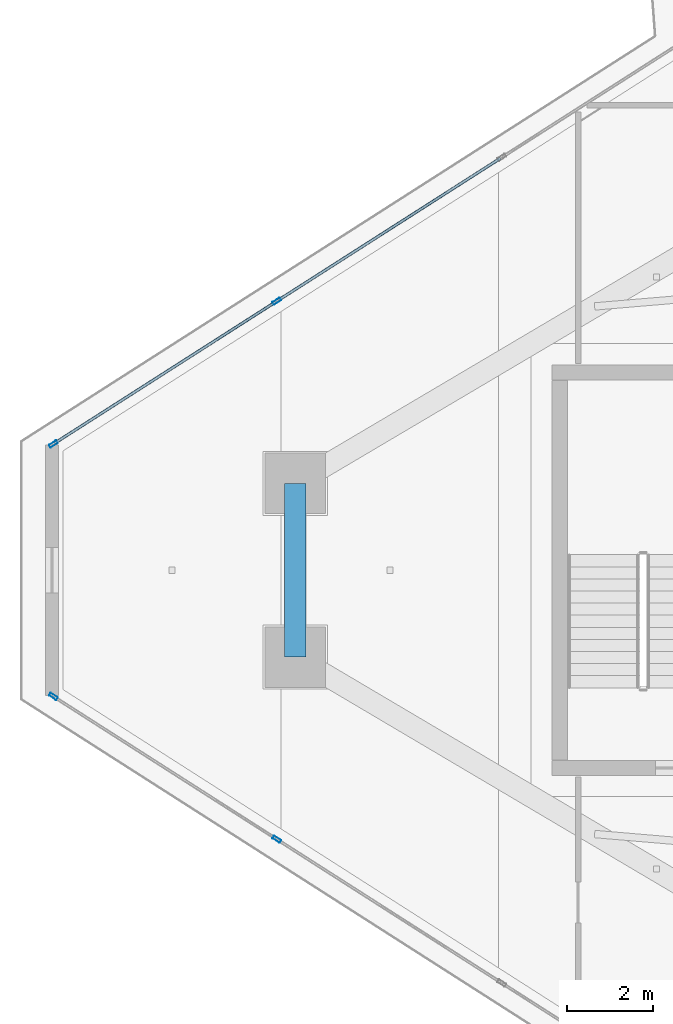
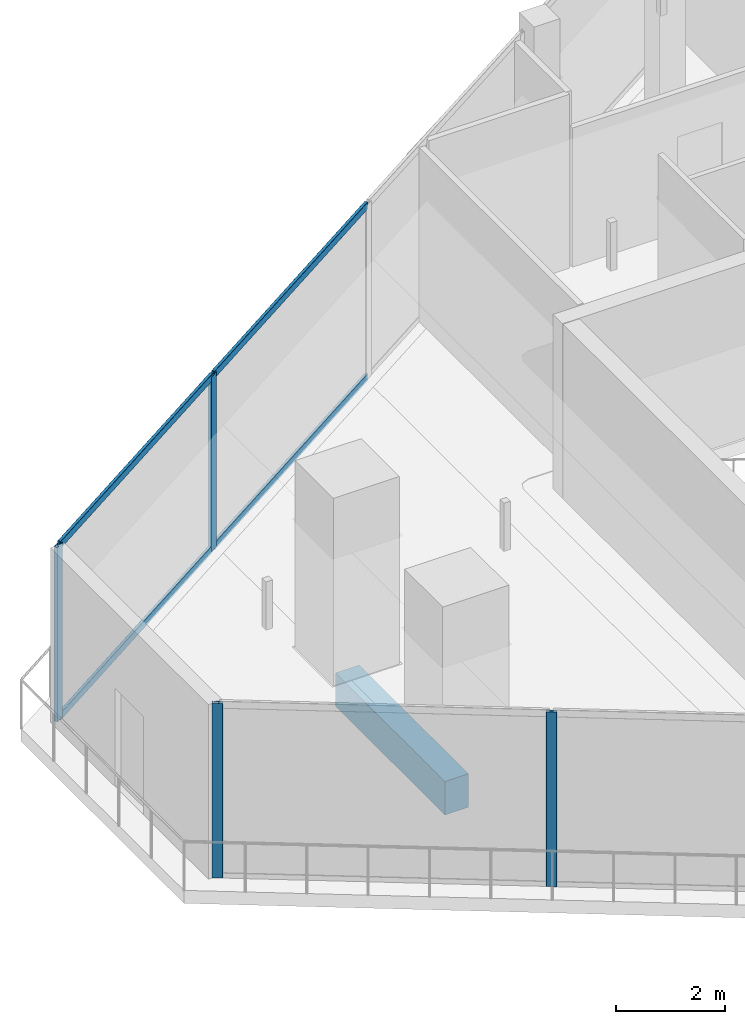
# One storey, part 6 of 27: 8 members, 1 beam, 2 elements without a shape of their own.
"""IFC4 building model written with IfcOpenShell, lengths in metres."""

from ifc_helpers import new_model, si_unit, direction, frame, origin, origin_2d, place, context, subcontext, project, spatial, rectangle, hollow_rectangle, extrude, material, layer, layer_set, material_profile, profile_set, type_object, element, aggregate, save


model = new_model("IFC4")

# Units and contexts
model_context = context("Model", 3, precision=1e-05, world=origin(), true_north=direction((0.0, 1.0)))
body_context = subcontext(model_context, "Body", "Model", "MODEL_VIEW")
ifc_project = project(units=[si_unit("LENGTHUNIT", "METRE"), si_unit("AREAUNIT", "SQUARE_METRE"), si_unit("VOLUMEUNIT", "CUBIC_METRE"), si_unit("PLANEANGLEUNIT", "RADIAN"), si_unit("MASSUNIT", "GRAM", prefix="KILO")], contexts=[model_context])

# Site, building, storey
site_placement = place(None, origin())
site = spatial("IfcSite", under=ifc_project, at=site_placement, CompositionType="ELEMENT")
building_placement = place(site_placement, origin())
building = spatial("IfcBuilding", under=site, at=building_placement, Name="Qorvath Tower", CompositionType="ELEMENT")
storey_placement = place(building_placement, frame((0.0, 0.0, 293.39990234375)))
storey = spatial("IfcBuildingStorey", under=building, at=storey_placement, Name="L68", CompositionType="ELEMENT", Elevation=293.39990234375)

# Beam
ifc_material_1 = material(Name="Concrete C45/55", Category="concrete")
ifc_material_profile_1 = material_profile(ifc_material_1, rectangle(XDim=0.5, YDim=0.75, at=origin_2d()), Name="RCB 750x500")
ifc_profile_set_1 = profile_set([ifc_material_profile_1], Name="Concrete C45/55")
beam_type = type_object("IfcBeamType", Name="BM-RCB3", PredefinedType="SPANDREL", material=ifc_profile_set_1)
beam_placement = place(storey_placement, frame((-44.402587890625, 2.007568359375, -0.664794921875), z_axis=(0.0, -1.0, 0.0), x_axis=(1.0, 0.0, 0.0)))
element("IfcBeam", 1, at=beam_placement, inside=storey, type_object=beam_type, Name="Perimeter Loggia Frame Beam MC1-MC2 L68", PredefinedType="SPANDREL", context=body_context, shape_type="SweptSolid", body=[
    extrude(rectangle(XDim=0.5, YDim=0.75, at=origin_2d()), origin(), (0.0, 0.0, 1.0), 4.01513671875),
])

# Curtain wall, members
ifc_material_2 = material(Name="Anodised aluminium and triple low-E glass", Category="aluminium")
ifc_layer = layer(ifc_material_2, 0.179931640625)
ifc_layer_set = layer_set([ifc_layer], Name="CW-SYS-5")
curtain_wall_type = type_object("IfcCurtainWallType", Name="CW-SYS-5", PredefinedType="NOTDEFINED", material=ifc_layer_set)
curtain_wall_1_placement = place(storey_placement, origin())
curtain_wall_1 = element("IfcCurtainWall", 2, at=curtain_wall_1_placement, inside=storey, type_object=curtain_wall_type, Name="Curtain Wall CW-5 CW-T-L68-2.1", PredefinedType="NOTDEFINED")
ifc_material_3 = material(Name="Anodised aluminium 6063-T6", Category="aluminium")
ifc_material_profile_2 = material_profile(ifc_material_3, hollow_rectangle(XDim=0.074951171875, YDim=0.199951171875, WallThickness=0.00390625, InnerFilletRadius=0.00390625, OuterFilletRadius=0.008056640625, at=origin_2d()), Name="CWM 200x75")
ifc_profile_set_2 = profile_set([ifc_material_profile_2], Name="Anodised aluminium 6063-T6")
member_type_1 = type_object("IfcMemberType", Name="CWM-200", PredefinedType="MULLION", material=ifc_profile_set_2)
member_1_placement = place(storey_placement, frame((-49.998291015625, -2.92041015625, 0.0), z_axis=(0.0, 0.0, 1.0), x_axis=(0.538538485017, 0.84260091393, 0.0)))
member_1 = element("IfcMember", 3, at=member_1_placement, type_object=member_type_1, Name="CW-5 mullion 1", PredefinedType="MULLION", context=body_context, shape_type="SweptSolid", body=[
    extrude(hollow_rectangle(XDim=0.074951171875, YDim=0.199951171875, WallThickness=0.00390625, InnerFilletRadius=0.00390625, OuterFilletRadius=0.008056640625, at=origin_2d()), origin(), (0.0, 0.0, 1.0), 3.91015625),
])
member_2_placement = place(storey_placement, frame((-44.828125, -6.224853515625, 0.0), z_axis=(0.0, 0.0, 1.0), x_axis=(0.538538485017, 0.84260091393, 0.0)))
member_2 = element("IfcMember", 4, at=member_2_placement, type_object=member_type_1, Name="CW-5 mullion 2", PredefinedType="MULLION", context=body_context, shape_type="SweptSolid", body=[
    extrude(hollow_rectangle(XDim=0.074951171875, YDim=0.199951171875, WallThickness=0.00390625, InnerFilletRadius=0.00390625, OuterFilletRadius=0.008056640625, at=origin_2d()), origin(), (0.0, 0.0, 1.0), 3.91015625),
])
aggregate(curtain_wall_1, [member_1, member_2])

curtain_wall_2_placement = place(storey_placement, origin())
curtain_wall_2 = element("IfcCurtainWall", 5, at=curtain_wall_2_placement, inside=storey, type_object=curtain_wall_type, Name="Curtain Wall CW-5 CW-T-L68-16.3", PredefinedType="NOTDEFINED")
member_3_placement = place(storey_placement, frame((-44.828125, 6.224853515625, 0.0), z_axis=(0.0, 0.0, 1.0), x_axis=(0.538538485017, -0.84260091393, 0.0)))
member_3 = element("IfcMember", 6, at=member_3_placement, type_object=member_type_1, Name="CW-5 mullion 3", PredefinedType="MULLION", context=body_context, shape_type="SweptSolid", body=[
    extrude(hollow_rectangle(XDim=0.074951171875, YDim=0.199951171875, WallThickness=0.00390625, InnerFilletRadius=0.00390625, OuterFilletRadius=0.008056640625, at=origin_2d()), origin(), (0.0, 0.0, 1.0), 3.91015625),
])
member_4_placement = place(storey_placement, frame((-49.998291015625, 2.92041015625, 0.0), z_axis=(0.0, 0.0, 1.0), x_axis=(0.538538485017, -0.84260091393, 0.0)))
member_4 = element("IfcMember", 7, at=member_4_placement, type_object=member_type_1, Name="CW-5 mullion 4", PredefinedType="MULLION", context=body_context, shape_type="SweptSolid", body=[
    extrude(hollow_rectangle(XDim=0.074951171875, YDim=0.199951171875, WallThickness=0.00390625, InnerFilletRadius=0.00390625, OuterFilletRadius=0.008056640625, at=origin_2d()), origin(), (0.0, 0.0, 1.0), 3.91015625),
])
ifc_material_4 = material(Name="Anodised aluminium 6063-T6", Category="aluminium")
ifc_material_profile_3 = material_profile(ifc_material_4, hollow_rectangle(XDim=0.06494140625, YDim=0.159912109375, WallThickness=0.00341796875, InnerFilletRadius=0.00341796875, OuterFilletRadius=0.007080078125, at=origin_2d()), Name="CWT 160x65")
ifc_profile_set_3 = profile_set([ifc_material_profile_3], Name="Anodised aluminium 6063-T6")
member_type_2 = type_object("IfcMemberType", Name="CWT-160", PredefinedType="USERDEFINED", material=ifc_profile_set_3)
member_5_placement = place(storey_placement, frame((-39.65771484375, 9.529296875, 0.032470703125), z_axis=(-0.8426114894, -0.538521938208, 0.0), x_axis=(0.538521938208, -0.8426114894, 0.0)))
member_5 = element("IfcMember", 8, at=member_5_placement, type_object=member_type_2, Name="CW-5 transom 2.1", ObjectType="TRANSOM", PredefinedType="USERDEFINED", context=body_context, shape_type="SweptSolid", body=[
    extrude(hollow_rectangle(XDim=0.06494140625, YDim=0.159912109375, WallThickness=0.00341796875, InnerFilletRadius=0.00341796875, OuterFilletRadius=0.007080078125, at=origin_2d()), origin(), (0.0, 0.0, 1.0), 6.098388671875),
])
member_6_placement = place(storey_placement, frame((-39.65771484375, 9.529296875, 3.877685546875), z_axis=(-0.8426114894, -0.538521938208, 0.0), x_axis=(0.538521938208, -0.8426114894, 0.0)))
member_6 = element("IfcMember", 9, at=member_6_placement, type_object=member_type_2, Name="CW-5 transom 2.2", ObjectType="TRANSOM", PredefinedType="USERDEFINED", context=body_context, shape_type="SweptSolid", body=[
    extrude(hollow_rectangle(XDim=0.06494140625, YDim=0.159912109375, WallThickness=0.00341796875, InnerFilletRadius=0.00341796875, OuterFilletRadius=0.007080078125, at=origin_2d()), origin(), (0.0, 0.0, 1.0), 6.098388671875),
])
member_7_placement = place(storey_placement, frame((-44.859619140625, 6.20458984375, 0.032470703125), z_axis=(-0.842603350989, -0.538534671959, 0.0), x_axis=(0.538534671959, -0.842603350989, 0.0)))
member_7 = element("IfcMember", 10, at=member_7_placement, type_object=member_type_2, Name="CW-5 transom 3.1", ObjectType="TRANSOM", PredefinedType="USERDEFINED", context=body_context, shape_type="SweptSolid", body=[
    extrude(hollow_rectangle(XDim=0.06494140625, YDim=0.159912109375, WallThickness=0.00341796875, InnerFilletRadius=0.00341796875, OuterFilletRadius=0.007080078125, at=origin_2d()), origin(), (0.0, 0.0, 1.0), 6.061279296875),
])
member_8_placement = place(storey_placement, frame((-44.859619140625, 6.20458984375, 3.877685546875), z_axis=(-0.842603350989, -0.538534671959, 0.0), x_axis=(0.538534671959, -0.842603350989, 0.0)))
member_8 = element("IfcMember", 11, at=member_8_placement, type_object=member_type_2, Name="CW-5 transom 3.2", ObjectType="TRANSOM", PredefinedType="USERDEFINED", context=body_context, shape_type="SweptSolid", body=[
    extrude(hollow_rectangle(XDim=0.06494140625, YDim=0.159912109375, WallThickness=0.00341796875, InnerFilletRadius=0.00341796875, OuterFilletRadius=0.007080078125, at=origin_2d()), origin(), (0.0, 0.0, 1.0), 6.061279296875),
])
aggregate(curtain_wall_2, [member_3, member_4, member_5, member_6, member_7, member_8])

save(model, "model.ifc")
